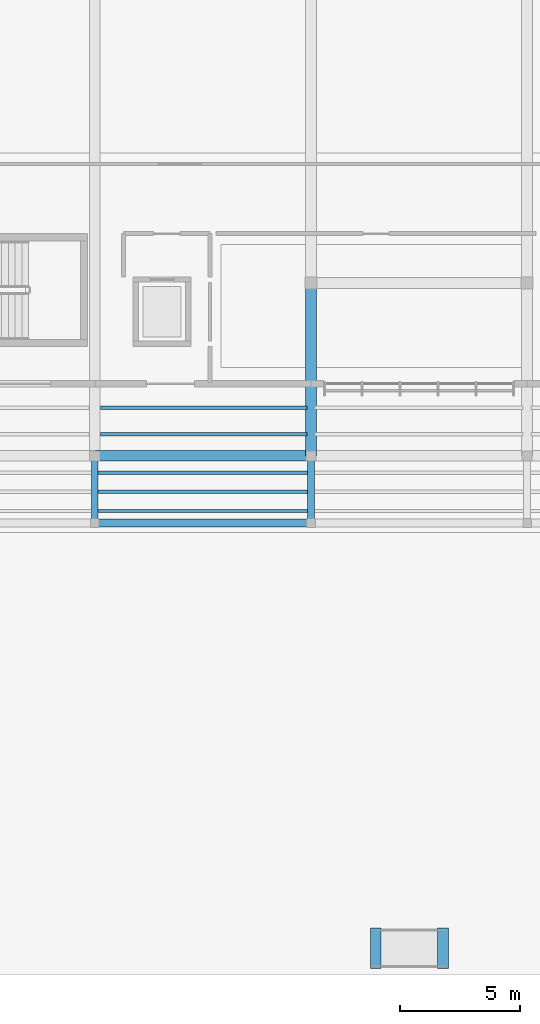
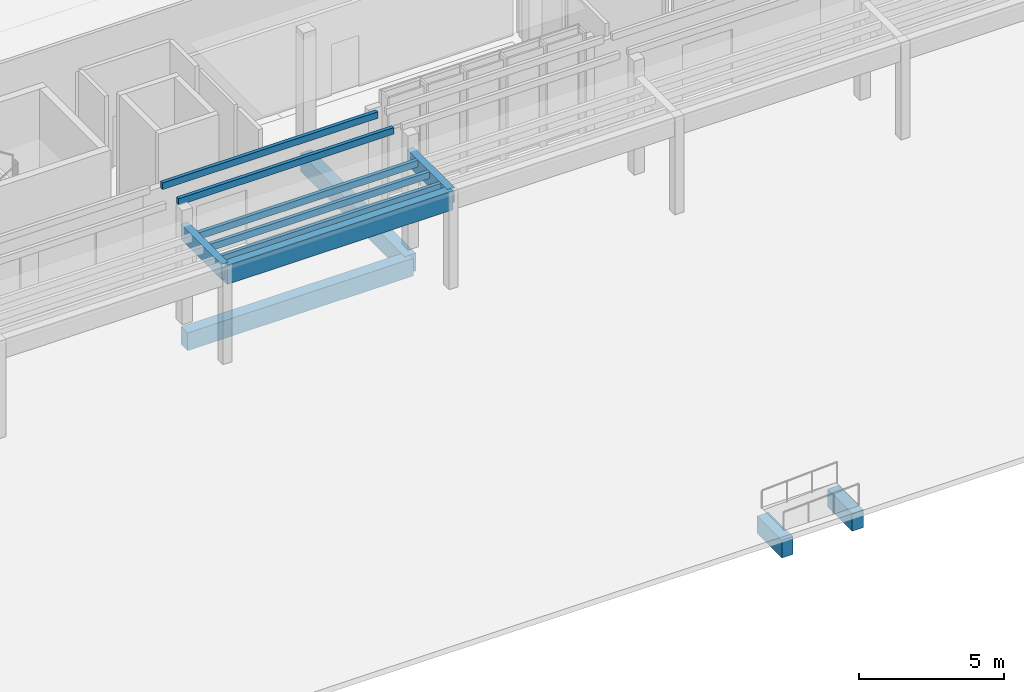
# One storey, part 32 of 151: 7 beams, 5 members.
"""IFC4 building model written with IfcOpenShell, lengths in metres."""

from ifc_helpers import new_model, si_unit, direction, frame, origin, origin_2d, place, context, subcontext, project, spatial, rectangle, extrude, material, material_profile, profile_set, type_object, element, save


model = new_model("IFC4")

# Units and contexts
model_context = context("Model", 3, precision=1e-05, world=origin(), true_north=direction((0.0, 1.0)))
body_context = subcontext(model_context, "Body", "Model", "MODEL_VIEW")
ifc_project = project(units=[si_unit("LENGTHUNIT", "METRE"), si_unit("AREAUNIT", "SQUARE_METRE"), si_unit("VOLUMEUNIT", "CUBIC_METRE"), si_unit("PLANEANGLEUNIT", "RADIAN"), si_unit("MASSUNIT", "GRAM", prefix="KILO")], contexts=[model_context])

# Site, building, storey
site_placement = place(None, origin())
site = spatial("IfcSite", under=ifc_project, at=site_placement, CompositionType="ELEMENT")
building_placement = place(site_placement, origin())
building = spatial("IfcBuilding", under=site, at=building_placement, Name="Chiffa Square Polytechnic", CompositionType="ELEMENT")
storey_placement = place(building_placement, origin())
storey = spatial("IfcBuildingStorey", under=building, at=storey_placement, Name="L00", CompositionType="ELEMENT", Elevation=0.0)

# Beams
ifc_material_1 = material(Name="Concrete C35/45", Category="concrete")
ifc_material_profile_1 = material_profile(ifc_material_1, rectangle(XDim=0.449951171875, YDim=0.75, at=origin_2d()), Name="RC 450x750")
ifc_profile_set_1 = profile_set([ifc_material_profile_1], Name="Concrete C35/45")
beam_type_1 = type_object("IfcBeamType", Name="GB-RC-450X750", PredefinedType="BEAM", material=ifc_profile_set_1)
beam_1_placement = place(storey_placement, frame((66.60009765625, 21.60009765625, -0.77490234375), z_axis=(1.0, 0.0, 0.0), x_axis=(0.0, 1.0, 0.0)))
element("IfcBeam", 1, at=beam_1_placement, inside=storey, type_object=beam_type_1, Name="Ground tie beam GB-V4-X-099", PredefinedType="BEAM", context=body_context, shape_type="SweptSolid", body=[
    extrude(rectangle(XDim=0.449951171875, YDim=0.75, at=origin_2d()), origin(), (0.0, 0.0, 1.0), 9.0),
])
beam_2_placement = place(storey_placement, frame((75.60009765625, 21.60009765625, -0.77490234375), z_axis=(0.0, 1.0, 0.0), x_axis=(-1.0, 0.0, 0.0)))
element("IfcBeam", 2, at=beam_2_placement, inside=storey, type_object=beam_type_1, Name="Ground tie beam GB-V4-Y-130", PredefinedType="BEAM", context=body_context, shape_type="SweptSolid", body=[
    extrude(rectangle(XDim=0.449951171875, YDim=0.75, at=origin_2d()), origin(), (0.0, 0.0, 1.0), 7.199951171875),
])
for number, where, z_axis, x_axis, name in (
    (3, (78.300048828125, 0.25, -0.715087890625), (0.0, 1.0, 0.0), (-1.0, 0.0, 0.0), "Pedestrian ramp lower sill beam GB-PED-RAMP-BOT"),
    (4, (81.10009765625, 0.25, -0.56494140625), (0.0, 1.0, 0.0), (-1.0, 0.0, 0.0), "Pedestrian ramp upper sill beam GB-PED-RAMP-TOP"),
):
    element("IfcBeam", number, at=place(storey_placement, frame(where, z_axis=z_axis, x_axis=x_axis)), inside=storey, type_object=beam_type_1, Name=name, PredefinedType="BEAM", context=body_context, shape_type="SweptSolid", body=[
        extrude(rectangle(XDim=0.449951171875, YDim=0.75, at=origin_2d()), origin(), (0.0, 0.0, 1.0), 1.699951171875),
    ])

# Members
ifc_material_2 = material(Name="Glulam GL28h", Category="wood")
ifc_material_profile_2 = material_profile(ifc_material_2, rectangle(XDim=0.139892578125, YDim=0.280029296875, at=origin_2d()), Name="GL28h 140x280")
ifc_profile_set_2 = profile_set([ifc_material_profile_2], Name="Glulam GL28h")
member_type = type_object("IfcMemberType", Name="MEM-RFT-GL140", PredefinedType="RAFTER", material=ifc_profile_set_2)
for number, where, z_axis, x_axis, name in (
    (5, (66.739990234375, 19.300048828125, 3.9599609375), (1.0, 0.0, 0.0), (0.0, 1.0, 0.0), "Civic square timber pergola rafter RF-SQN-02-193"),
    (6, (66.739990234375, 20.10009765625, 3.9599609375), (1.0, 0.0, 0.0), (0.0, 1.0, 0.0), "Civic square timber pergola rafter RF-SQN-02-201"),
    (7, (66.739990234375, 20.89990234375, 3.9599609375), (1.0, 0.0, 0.0), (0.0, 1.0, 0.0), "Civic square timber pergola rafter RF-SQN-02-209"),
):
    element("IfcMember", number, at=place(storey_placement, frame(where, z_axis=z_axis, x_axis=x_axis)), inside=storey, type_object=member_type, Name=name, PredefinedType="RAFTER", context=body_context, shape_type="SweptSolid", body=[
        extrude(rectangle(XDim=0.139892578125, YDim=0.280029296875, at=origin_2d()), origin(), (0.0, 0.0, 1.0), 8.719970703125),
    ])
for number, where, z_axis, x_axis, name in (
    (8, (66.847900390625, 22.5, 4.382080078125), (1.0, 0.0, 0.0), (0.0, 1.0, 0.0), "Chiffa Square colonnade purlin rafter RF-COL-S-011"),
    (9, (66.847900390625, 23.60009765625, 4.382080078125), (1.0, 0.0, 0.0), (0.0, 1.0, 0.0), "Chiffa Square colonnade purlin rafter RF-COL-S-012"),
):
    element("IfcMember", number, at=place(storey_placement, frame(where, z_axis=z_axis, x_axis=x_axis)), inside=storey, type_object=member_type, Name=name, PredefinedType="RAFTER", context=body_context, shape_type="SweptSolid", body=[
        extrude(rectangle(XDim=0.139892578125, YDim=0.280029296875, at=origin_2d()), origin(), (0.0, 0.0, 1.0), 8.5791015625),
    ])

# Beams
ifc_material_profile_3 = material_profile(ifc_material_2, rectangle(XDim=0.280029296875, YDim=0.639892578125, at=origin_2d()), Name="GL28h 280x640")
ifc_profile_set_3 = profile_set([ifc_material_profile_3], Name="Glulam GL28h")
beam_type_2 = type_object("IfcBeamType", Name="RB-GL-280X640", PredefinedType="SPANDREL", material=ifc_profile_set_3)
for number, where, z_axis, x_axis, name in (
    (10, (66.60009765625, 18.800048828125, 3.780029296875), (0.0, 1.0, 0.0), (-1.0, 0.0, 0.0), "Civic square portico tie beam RB-SQN-TIE-02"),
    (11, (75.60009765625, 18.800048828125, 3.780029296875), (0.0, 1.0, 0.0), (-1.0, 0.0, 0.0), "Civic square portico tie beam RB-SQN-TIE-03"),
):
    element("IfcBeam", number, at=place(storey_placement, frame(where, z_axis=z_axis, x_axis=x_axis)), inside=storey, type_object=beam_type_2, Name=name, PredefinedType="SPANDREL", context=body_context, shape_type="SweptSolid", body=[
        extrude(rectangle(XDim=0.280029296875, YDim=0.639892578125, at=origin_2d()), origin(), (0.0, 0.0, 1.0), 2.800048828125),
    ])
ifc_material_profile_4 = material_profile(ifc_material_2, rectangle(XDim=0.320068359375, YDim=0.800048828125, at=origin_2d()), Name="GL28h 320x800")
ifc_profile_set_4 = profile_set([ifc_material_profile_4], Name="Glulam GL28h")
beam_type_3 = type_object("IfcBeamType", Name="RB-GL-320X800", PredefinedType="SPANDREL", material=ifc_profile_set_4)
beam_3_placement = place(storey_placement, frame((66.60009765625, 18.800048828125, 3.699951171875), z_axis=(1.0, 0.0, 0.0), x_axis=(0.0, 1.0, 0.0)))
element("IfcBeam", 12, at=beam_3_placement, inside=storey, type_object=beam_type_3, Name="Civic square portico edge beam RB-SQN-EDGE-02", PredefinedType="SPANDREL", context=body_context, shape_type="SweptSolid", body=[
    extrude(rectangle(XDim=0.320068359375, YDim=0.800048828125, at=origin_2d()), origin(), (0.0, 0.0, 1.0), 9.0),
])

save(model, "model.ifc")
